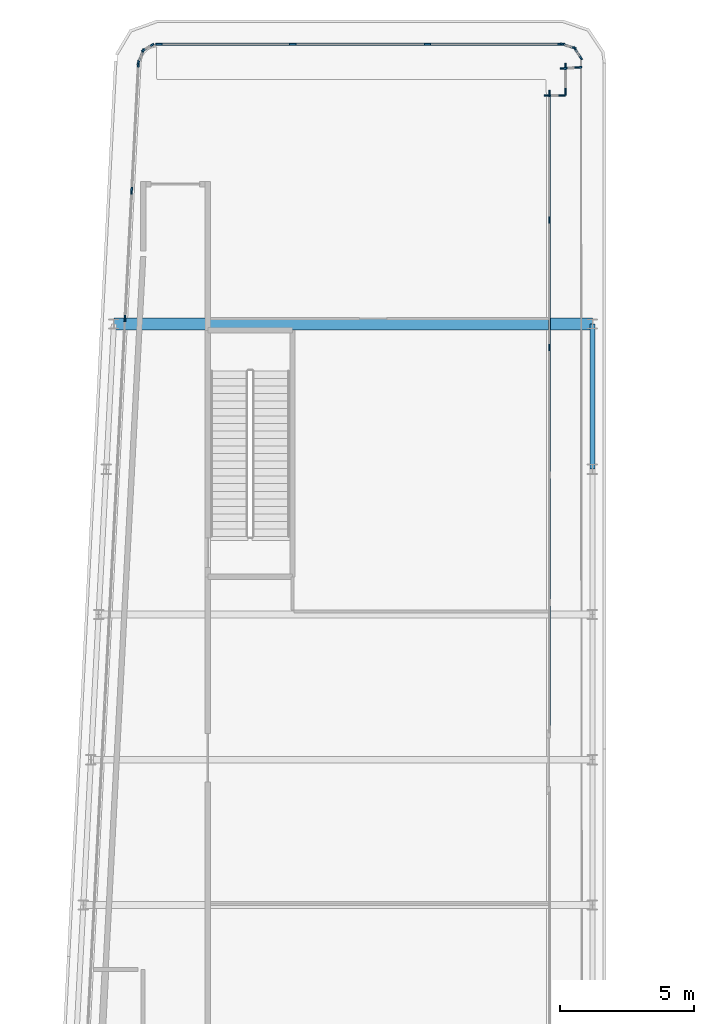
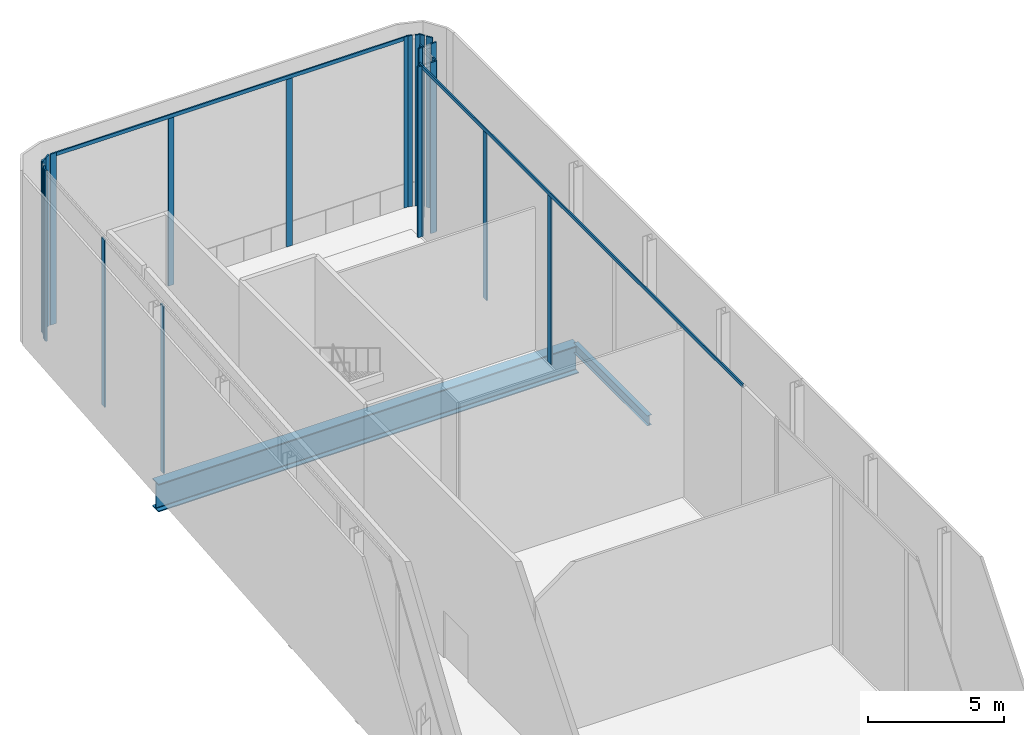
# One storey, part 8 of 23: 26 members, 2 beams, 10 elements without a shape of their own.
"""IFC4 building model written with IfcOpenShell, lengths in metres."""

from ifc_helpers import new_model, si_unit, direction, frame, origin, origin_2d, place, context, subcontext, project, spatial, rectangle, i_section, extrude, material, layer, layer_set, material_profile, profile_set, type_object, element, aggregate, save


model = new_model("IFC4")

# Units and contexts
model_context = context("Model", 3, precision=1e-05, world=origin(), true_north=direction((0.0, 1.0)))
body_context = subcontext(model_context, "Body", "Model", "MODEL_VIEW")
ifc_project = project(units=[si_unit("LENGTHUNIT", "METRE"), si_unit("AREAUNIT", "SQUARE_METRE"), si_unit("VOLUMEUNIT", "CUBIC_METRE"), si_unit("PLANEANGLEUNIT", "RADIAN"), si_unit("MASSUNIT", "GRAM", prefix="KILO")], contexts=[model_context])

# Site, building, storey
site_placement = place(None, origin())
site = spatial("IfcSite", under=ifc_project, at=site_placement, CompositionType="ELEMENT")
building_placement = place(site_placement, origin())
building = spatial("IfcBuilding", under=site, at=building_placement, Name="Kheshtan School and Residences Tower", CompositionType="ELEMENT")
storey_placement = place(building_placement, frame((0.0, 0.0, 389.0)))
storey = spatial("IfcBuildingStorey", under=building, at=storey_placement, Name="L92", CompositionType="ELEMENT", Elevation=389.0)

# Beam
ifc_material_1 = material(Name="Steel ASTM A992 Grade 50", Category="steel")
ifc_material_profile_1 = material_profile(ifc_material_1, i_section(OverallWidth=0.18994140625, OverallDepth=0.45703125, WebThickness=0.009033203125, FlangeThickness=0.014404296875, FilletRadius=0.01318359375, at=origin_2d()), Name="W460x74")
ifc_profile_set_1 = profile_set([ifc_material_profile_1], Name="Steel ASTM A992 Grade 50")
beam_type_1 = type_object("IfcBeamType", Name="Beam SP4 W460x74 ASTM A992 Grade 50", PredefinedType="BEAM", material=ifc_profile_set_1)
beam_1_placement = place(storey_placement, frame((47.60009765625, 88.800048828125, -0.37841796875), z_axis=(0.0, -1.0, 0.0), x_axis=(1.0, 0.0, 0.0)))
element("IfcBeam", 1, at=beam_1_placement, inside=storey, type_object=beam_type_1, Name="Spandrel beam C099-C091", PredefinedType="BEAM", context=body_context, shape_type="SweptSolid", body=[
    extrude(i_section(OverallWidth=0.18994140625, OverallDepth=0.45703125, WebThickness=0.009033203125, FlangeThickness=0.014404296875, FilletRadius=0.01318359375, at=origin_2d()), origin(), (0.0, 0.0, 1.0), 5.400146484375),
])

# Curtain wall, members
ifc_material_2 = material(Name="Clear low-e glass in thermally broken aluminium frame", Category="aluminium")
ifc_layer_1 = layer(ifc_material_2, 0.25)
ifc_layer_set_1 = layer_set([ifc_layer_1], Name="Curtain wall CW-G")
curtain_wall_type_1 = type_object("IfcCurtainWallType", Name="Curtain wall CW-G", PredefinedType="NOTDEFINED", material=ifc_layer_set_1)
curtain_wall_1_placement = place(storey_placement, origin())
curtain_wall_1 = element("IfcCurtainWall", 2, at=curtain_wall_1_placement, inside=storey, type_object=curtain_wall_type_1, Name="Curtain wall CWG19b", PredefinedType="NOTDEFINED")
ifc_material_3 = material(Name="Thermally broken aluminium, dark bronze anodised", Category="aluminium")
ifc_material_profile_2 = material_profile(ifc_material_3, rectangle(XDim=0.06005859375, YDim=0.25, at=origin_2d()), Name="CW-G mullion 60x250")
ifc_profile_set_2 = profile_set([ifc_material_profile_2], Name="Thermally broken aluminium, dark bronze anodised")
member_type_1 = type_object("IfcMemberType", Name="CW-G mullion 60x250", PredefinedType="MULLION", material=ifc_profile_set_2)
member_1_placement = place(storey_placement, frame((46.0, 97.3701171875, 0.0), z_axis=(0.0, 0.0, 1.0), x_axis=(1.0, 0.0, 0.0)))
member_1 = element("IfcMember", 3, at=member_1_placement, type_object=member_type_1, Name="CWG19b mullion 1", PredefinedType="MULLION", context=body_context, shape_type="SweptSolid", body=[
    extrude(rectangle(XDim=0.06005859375, YDim=0.25, at=origin_2d()), origin(), (0.0, 0.0, 1.0), 7.64990234375),
])
member_2_placement = place(storey_placement, frame((46.0, 92.659912109375, 0.0), z_axis=(0.0, 0.0, 1.0), x_axis=(1.0, 0.0, 0.0)))
member_2 = element("IfcMember", 4, at=member_2_placement, type_object=member_type_1, Name="CWG19b mullion 2", PredefinedType="MULLION", context=body_context, shape_type="SweptSolid", body=[
    extrude(rectangle(XDim=0.06005859375, YDim=0.25, at=origin_2d()), origin(), (0.0, 0.0, 1.0), 7.489990234375),
])
member_3_placement = place(storey_placement, frame((46.0, 87.919921875, 0.0), z_axis=(0.0, 0.0, 1.0), x_axis=(1.0, 0.0, 0.0)))
member_3 = element("IfcMember", 5, at=member_3_placement, type_object=member_type_1, Name="CWG19b mullion 3", PredefinedType="MULLION", context=body_context, shape_type="SweptSolid", body=[
    extrude(rectangle(XDim=0.06005859375, YDim=0.25, at=origin_2d()), origin(), (0.0, 0.0, 1.0), 7.489990234375),
])
ifc_material_profile_3 = material_profile(ifc_material_3, rectangle(XDim=0.06005859375, YDim=0.159912109375, at=origin_2d()), Name="CW-G transom 60x160")
ifc_profile_set_3 = profile_set([ifc_material_profile_3], Name="Thermally broken aluminium, dark bronze anodised")
member_type_2 = type_object("IfcMemberType", Name="CW-G transom 60x160", PredefinedType="USERDEFINED", material=ifc_profile_set_3)
member_4_placement = place(storey_placement, frame((46.0, 97.340087890625, 7.570068359375), z_axis=(0.0, -1.0, 0.0), x_axis=(1.0, 0.0, 0.0)))
member_4 = element("IfcMember", 6, at=member_4_placement, type_object=member_type_2, Name="CWG19b transom 1", ObjectType="TRANSOM", PredefinedType="USERDEFINED", context=body_context, shape_type="SweptSolid", body=[
    extrude(rectangle(XDim=0.06005859375, YDim=0.159912109375, at=origin_2d()), origin(), (0.0, 0.0, 1.0), 23.580078125),
])
aggregate(curtain_wall_1, [member_1, member_2, member_3, member_4])

ifc_layer_2 = layer(ifc_material_2, 0.25)
ifc_layer_set_2 = layer_set([ifc_layer_2], Name="Curtain wall CW-K")
curtain_wall_type_2 = type_object("IfcCurtainWallType", Name="Curtain wall CW-K", PredefinedType="NOTDEFINED", material=ifc_layer_set_2)
curtain_wall_2_placement = place(storey_placement, origin())
curtain_wall_2 = element("IfcCurtainWall", 7, at=curtain_wall_2_placement, inside=storey, type_object=curtain_wall_type_2, Name="Curtain wall CWK10a", PredefinedType="NOTDEFINED")
ifc_material_profile_4 = material_profile(ifc_material_3, rectangle(XDim=0.06005859375, YDim=0.25, at=origin_2d()), Name="CW-K mullion 60x250")
ifc_profile_set_4 = profile_set([ifc_material_profile_4], Name="Thermally broken aluminium, dark bronze anodised")
member_type_3 = type_object("IfcMemberType", Name="CW-K mullion 60x250", PredefinedType="MULLION", material=ifc_profile_set_4)
member_5_placement = place(storey_placement, frame((30.221923828125, 89.001953125, 0.0), z_axis=(0.0, 0.0, 1.0), x_axis=(-0.998617497599, 0.05256513568, 0.0)))
member_5 = element("IfcMember", 8, at=member_5_placement, type_object=member_type_3, Name="CWK10a mullion 13", PredefinedType="MULLION", context=body_context, shape_type="SweptSolid", body=[
    extrude(rectangle(XDim=0.06005859375, YDim=0.25, at=origin_2d()), origin(), (0.0, 0.0, 1.0), 7.489990234375),
])
member_6_placement = place(storey_placement, frame((30.471923828125, 93.754150390625, 0.0), z_axis=(0.0, 0.0, 1.0), x_axis=(-0.998617497599, 0.05256513568, 0.0)))
member_6 = element("IfcMember", 9, at=member_6_placement, type_object=member_type_3, Name="CWK10a mullion 14", PredefinedType="MULLION", context=body_context, shape_type="SweptSolid", body=[
    extrude(rectangle(XDim=0.06005859375, YDim=0.25, at=origin_2d()), origin(), (0.0, 0.0, 1.0), 7.489990234375),
])
member_7_placement = place(storey_placement, frame((30.720458984375, 98.476318359375, 0.0), z_axis=(0.0, 0.0, 1.0), x_axis=(-0.998617497599, 0.05256513568, 0.0)))
member_7 = element("IfcMember", 10, at=member_7_placement, type_object=member_type_3, Name="CWK10a mullion 15", PredefinedType="MULLION", context=body_context, shape_type="SweptSolid", body=[
    extrude(rectangle(XDim=0.06005859375, YDim=0.25, at=origin_2d()), origin(), (0.0, 0.0, 1.0), 7.64990234375),
])
aggregate(curtain_wall_2, [member_5, member_6, member_7])

curtain_wall_3_placement = place(storey_placement, origin())
curtain_wall_3 = element("IfcCurtainWall", 11, at=curtain_wall_3_placement, inside=storey, type_object=curtain_wall_type_2, Name="Curtain wall CWK11a", PredefinedType="NOTDEFINED")
member_8_placement = place(storey_placement, frame((30.740234375, 98.56591796875, 0.0), z_axis=(0.0, 0.0, 1.0), x_axis=(-0.928635523576, 0.370993348125, 0.0)))
member_8 = element("IfcMember", 12, at=member_8_placement, type_object=member_type_3, Name="CWK11a mullion 1", PredefinedType="MULLION", context=body_context, shape_type="SweptSolid", body=[
    extrude(rectangle(XDim=0.06005859375, YDim=0.25, at=origin_2d()), origin(), (0.0, 0.0, 1.0), 7.64990234375),
])
member_9_placement = place(storey_placement, frame((30.87890625, 98.913330078125, 0.0), z_axis=(0.0, 0.0, 1.0), x_axis=(-0.928635523576, 0.370993348125, 0.0)))
member_9 = element("IfcMember", 13, at=member_9_placement, type_object=member_type_3, Name="CWK11a mullion 2", PredefinedType="MULLION", context=body_context, shape_type="SweptSolid", body=[
    extrude(rectangle(XDim=0.06005859375, YDim=0.25, at=origin_2d()), origin(), (0.0, 0.0, 1.0), 7.64990234375),
])
aggregate(curtain_wall_3, [member_8, member_9])

curtain_wall_4_placement = place(storey_placement, origin())
curtain_wall_4 = element("IfcCurtainWall", 14, at=curtain_wall_4_placement, inside=storey, type_object=curtain_wall_type_2, Name="Curtain wall CWK12a", PredefinedType="NOTDEFINED")
member_10_placement = place(storey_placement, frame((30.9560546875, 99.0048828125, 0.0), z_axis=(0.0, 0.0, 1.0), x_axis=(-0.52392646803, 0.851763497749, 0.0)))
member_10 = element("IfcMember", 15, at=member_10_placement, type_object=member_type_3, Name="CWK12a mullion 1", PredefinedType="MULLION", context=body_context, shape_type="SweptSolid", body=[
    extrude(rectangle(XDim=0.06005859375, YDim=0.25, at=origin_2d()), origin(), (0.0, 0.0, 1.0), 7.64990234375),
])
member_11_placement = place(storey_placement, frame((31.18310546875, 99.14453125, 0.0), z_axis=(0.0, 0.0, 1.0), x_axis=(-0.52392646803, 0.851763497749, 0.0)))
member_11 = element("IfcMember", 16, at=member_11_placement, type_object=member_type_3, Name="CWK12a mullion 2", PredefinedType="MULLION", context=body_context, shape_type="SweptSolid", body=[
    extrude(rectangle(XDim=0.06005859375, YDim=0.25, at=origin_2d()), origin(), (0.0, 0.0, 1.0), 7.64990234375),
])
aggregate(curtain_wall_4, [member_10, member_11])

curtain_wall_5_placement = place(storey_placement, origin())
curtain_wall_5 = element("IfcCurtainWall", 17, at=curtain_wall_5_placement, inside=storey, type_object=curtain_wall_type_2, Name="Curtain wall CWK13a", PredefinedType="NOTDEFINED")
member_12_placement = place(storey_placement, frame((31.48388671875, 99.199951171875, 0.0), z_axis=(0.0, 0.0, 1.0), x_axis=(0.0, 1.0, 0.0)))
member_12 = element("IfcMember", 18, at=member_12_placement, type_object=member_type_3, Name="CWK13a mullion 1", PredefinedType="MULLION", context=body_context, shape_type="SweptSolid", body=[
    extrude(rectangle(XDim=0.06005859375, YDim=0.25, at=origin_2d()), origin(), (0.0, 0.0, 1.0), 7.64990234375),
])
member_13_placement = place(storey_placement, frame((36.459228515625, 99.199951171875, 0.0), z_axis=(0.0, 0.0, 1.0), x_axis=(0.0, 1.0, 0.0)))
member_13 = element("IfcMember", 19, at=member_13_placement, type_object=member_type_3, Name="CWK13a mullion 2", PredefinedType="MULLION", context=body_context, shape_type="SweptSolid", body=[
    extrude(rectangle(XDim=0.06005859375, YDim=0.25, at=origin_2d()), origin(), (0.0, 0.0, 1.0), 7.489990234375),
])
member_14_placement = place(storey_placement, frame((41.464599609375, 99.199951171875, 0.0), z_axis=(0.0, 0.0, 1.0), x_axis=(0.0, 1.0, 0.0)))
member_14 = element("IfcMember", 20, at=member_14_placement, type_object=member_type_3, Name="CWK13a mullion 3", PredefinedType="MULLION", context=body_context, shape_type="SweptSolid", body=[
    extrude(rectangle(XDim=0.06005859375, YDim=0.25, at=origin_2d()), origin(), (0.0, 0.0, 1.0), 7.489990234375),
])
member_15_placement = place(storey_placement, frame((46.43994140625, 99.199951171875, 0.0), z_axis=(0.0, 0.0, 1.0), x_axis=(0.0, 1.0, 0.0)))
member_15 = element("IfcMember", 21, at=member_15_placement, type_object=member_type_3, Name="CWK13a mullion 4", PredefinedType="MULLION", context=body_context, shape_type="SweptSolid", body=[
    extrude(rectangle(XDim=0.06005859375, YDim=0.25, at=origin_2d()), origin(), (0.0, 0.0, 1.0), 7.64990234375),
])

curtain_wall_6_placement = place(storey_placement, origin())
curtain_wall_6 = element("IfcCurtainWall", 22, at=curtain_wall_6_placement, inside=storey, type_object=curtain_wall_type_2, Name="Curtain wall CWK14a", PredefinedType="NOTDEFINED")
member_16_placement = place(storey_placement, frame((46.529052734375, 99.18603515625, 0.0), z_axis=(0.0, 0.0, 1.0), x_axis=(0.303900450271, 0.952703792543, 0.0)))
member_16 = element("IfcMember", 23, at=member_16_placement, type_object=member_type_3, Name="CWK14a mullion 1", PredefinedType="MULLION", context=body_context, shape_type="SweptSolid", body=[
    extrude(rectangle(XDim=0.06005859375, YDim=0.25, at=origin_2d()), origin(), (0.0, 0.0, 1.0), 7.64990234375),
])
member_17_placement = place(storey_placement, frame((46.86669921875, 99.078369140625, 0.0), z_axis=(0.0, 0.0, 1.0), x_axis=(0.303900450271, 0.952703792543, 0.0)))
member_17 = element("IfcMember", 24, at=member_17_placement, type_object=member_type_3, Name="CWK14a mullion 2", PredefinedType="MULLION", context=body_context, shape_type="SweptSolid", body=[
    extrude(rectangle(XDim=0.06005859375, YDim=0.25, at=origin_2d()), origin(), (0.0, 0.0, 1.0), 7.64990234375),
])
aggregate(curtain_wall_6, [member_16, member_17])

curtain_wall_7_placement = place(storey_placement, origin())
curtain_wall_7 = element("IfcCurtainWall", 25, at=curtain_wall_7_placement, inside=storey, type_object=curtain_wall_type_2, Name="Curtain wall CWK15a", PredefinedType="NOTDEFINED")
member_18_placement = place(storey_placement, frame((46.96484375, 99.004638671875, 0.0), z_axis=(0.0, 0.0, 1.0), x_axis=(0.831648992198, 0.555301678168, 0.0)))
member_18 = element("IfcMember", 26, at=member_18_placement, type_object=member_type_3, Name="CWK15a mullion 1", PredefinedType="MULLION", context=body_context, shape_type="SweptSolid", body=[
    extrude(rectangle(XDim=0.06005859375, YDim=0.25, at=origin_2d()), origin(), (0.0, 0.0, 1.0), 7.64990234375),
])
member_19_placement = place(storey_placement, frame((47.14453125, 98.735595703125, 0.0), z_axis=(0.0, 0.0, 1.0), x_axis=(0.831648992198, 0.555301678168, 0.0)))
member_19 = element("IfcMember", 27, at=member_19_placement, type_object=member_type_3, Name="CWK15a mullion 2", PredefinedType="MULLION", context=body_context, shape_type="SweptSolid", body=[
    extrude(rectangle(XDim=0.06005859375, YDim=0.25, at=origin_2d()), origin(), (0.0, 0.0, 1.0), 7.64990234375),
])
aggregate(curtain_wall_7, [member_18, member_19])

curtain_wall_8_placement = place(storey_placement, origin())
curtain_wall_8 = element("IfcCurtainWall", 28, at=curtain_wall_8_placement, inside=storey, type_object=curtain_wall_type_2, Name="Curtain wall CWK16a", PredefinedType="NOTDEFINED")
member_20_placement = place(storey_placement, frame((47.07666015625, 98.33837890625, 0.0), z_axis=(0.0, 0.0, 1.0), x_axis=(0.06486312108, -0.997894170503, 0.0)))
member_20 = element("IfcMember", 29, at=member_20_placement, type_object=member_type_3, Name="CWK16a mullion 1", PredefinedType="MULLION", context=body_context, shape_type="SweptSolid", body=[
    extrude(rectangle(XDim=0.06005859375, YDim=0.25, at=origin_2d()), origin(), (0.0, 0.0, 1.0), 7.64990234375),
])
member_21_placement = place(storey_placement, frame((46.536376953125, 98.30322265625, 0.0), z_axis=(0.0, 0.0, 1.0), x_axis=(0.06486312108, -0.997894170503, 0.0)))
member_21 = element("IfcMember", 30, at=member_21_placement, type_object=member_type_3, Name="CWK16a mullion 2", PredefinedType="MULLION", context=body_context, shape_type="SweptSolid", body=[
    extrude(rectangle(XDim=0.06005859375, YDim=0.25, at=origin_2d()), origin(), (0.0, 0.0, 1.0), 7.64990234375),
])
aggregate(curtain_wall_8, [member_20, member_21])

curtain_wall_9_placement = place(storey_placement, origin())
curtain_wall_9 = element("IfcCurtainWall", 31, at=curtain_wall_9_placement, inside=storey, type_object=curtain_wall_type_2, Name="Curtain wall CWK17a", PredefinedType="NOTDEFINED")
member_22_placement = place(storey_placement, frame((46.60009765625, 98.37109375, 0.0), z_axis=(0.0, 0.0, 1.0), x_axis=(1.0, 0.0, 0.0)))
member_22 = element("IfcMember", 32, at=member_22_placement, type_object=member_type_3, Name="CWK17a mullion 1", PredefinedType="MULLION", context=body_context, shape_type="SweptSolid", body=[
    extrude(rectangle(XDim=0.06005859375, YDim=0.25, at=origin_2d()), origin(), (0.0, 0.0, 1.0), 7.64990234375),
])
member_23_placement = place(storey_placement, frame((46.60009765625, 97.429931640625, 0.0), z_axis=(0.0, 0.0, 1.0), x_axis=(1.0, 0.0, 0.0)))
member_23 = element("IfcMember", 33, at=member_23_placement, type_object=member_type_3, Name="CWK17a mullion 2", PredefinedType="MULLION", context=body_context, shape_type="SweptSolid", body=[
    extrude(rectangle(XDim=0.06005859375, YDim=0.25, at=origin_2d()), origin(), (0.0, 0.0, 1.0), 7.64990234375),
])
aggregate(curtain_wall_9, [member_22, member_23])

curtain_wall_10_placement = place(storey_placement, origin())
curtain_wall_10 = element("IfcCurtainWall", 34, at=curtain_wall_10_placement, inside=storey, type_object=curtain_wall_type_2, Name="Curtain wall CWK18a", PredefinedType="NOTDEFINED")
member_24_placement = place(storey_placement, frame((46.469970703125, 97.300048828125, 0.0), z_axis=(0.0, 0.0, 1.0), x_axis=(0.0, -1.0, 0.0)))
member_24 = element("IfcMember", 35, at=member_24_placement, type_object=member_type_3, Name="CWK18a mullion 1", PredefinedType="MULLION", context=body_context, shape_type="SweptSolid", body=[
    extrude(rectangle(XDim=0.06005859375, YDim=0.25, at=origin_2d()), origin(), (0.0, 0.0, 1.0), 7.64990234375),
])
member_25_placement = place(storey_placement, frame((45.929931640625, 97.300048828125, 0.0), z_axis=(0.0, 0.0, 1.0), x_axis=(0.0, -1.0, 0.0)))
member_25 = element("IfcMember", 36, at=member_25_placement, type_object=member_type_3, Name="CWK18a mullion 2", PredefinedType="MULLION", context=body_context, shape_type="SweptSolid", body=[
    extrude(rectangle(XDim=0.06005859375, YDim=0.25, at=origin_2d()), origin(), (0.0, 0.0, 1.0), 7.64990234375),
])
aggregate(curtain_wall_10, [member_24, member_25])

# Member
ifc_material_profile_5 = material_profile(ifc_material_3, rectangle(XDim=0.06005859375, YDim=0.159912109375, at=origin_2d()), Name="CW-K transom 60x160")
ifc_profile_set_5 = profile_set([ifc_material_profile_5], Name="Thermally broken aluminium, dark bronze anodised")
member_type_4 = type_object("IfcMemberType", Name="CW-K transom 60x160", PredefinedType="USERDEFINED", material=ifc_profile_set_5)
member_26_placement = place(storey_placement, frame((31.513916015625, 99.199951171875, 7.570068359375), z_axis=(1.0, 0.0, 0.0), x_axis=(0.0, 1.0, 0.0)))
member_26 = element("IfcMember", 37, at=member_26_placement, type_object=member_type_4, Name="CWK13a transom 1", ObjectType="TRANSOM", PredefinedType="USERDEFINED", context=body_context, shape_type="SweptSolid", body=[
    extrude(rectangle(XDim=0.06005859375, YDim=0.159912109375, at=origin_2d()), origin(), (0.0, 0.0, 1.0), 14.89599609375),
])

aggregate(curtain_wall_5, [member_12, member_13, member_14, member_15, member_26])

# Beam
ifc_material_profile_6 = material_profile(ifc_material_1, i_section(OverallWidth=0.449951171875, OverallDepth=1.25, WebThickness=0.02490234375, FlangeThickness=0.044921875, FilletRadius=0.03759765625, at=origin_2d()), Name="WWF1250x546")
ifc_profile_set_6 = profile_set([ifc_material_profile_6], Name="Steel ASTM A992 Grade 50")
beam_type_2 = type_object("IfcBeamType", Name="Transfer girder TG4 WWF1250x546 ASTM A992 Grade 50", PredefinedType="BEAM", material=ifc_profile_set_6)
beam_2_placement = place(storey_placement, frame((29.81103515625, 88.800048828125, -0.77490234375), z_axis=(1.0, 0.0, 0.0), x_axis=(0.0, 1.0, 0.0)))
element("IfcBeam", 38, at=beam_2_placement, inside=storey, type_object=beam_type_2, Name="Transfer girder C098-C099", PredefinedType="BEAM", context=body_context, shape_type="SweptSolid", body=[
    extrude(i_section(OverallWidth=0.449951171875, OverallDepth=1.25, WebThickness=0.02490234375, FlangeThickness=0.044921875, FilletRadius=0.03759765625, at=origin_2d()), origin(), (0.0, 0.0, 1.0), 17.7890625),
])

save(model, "model.ifc")
